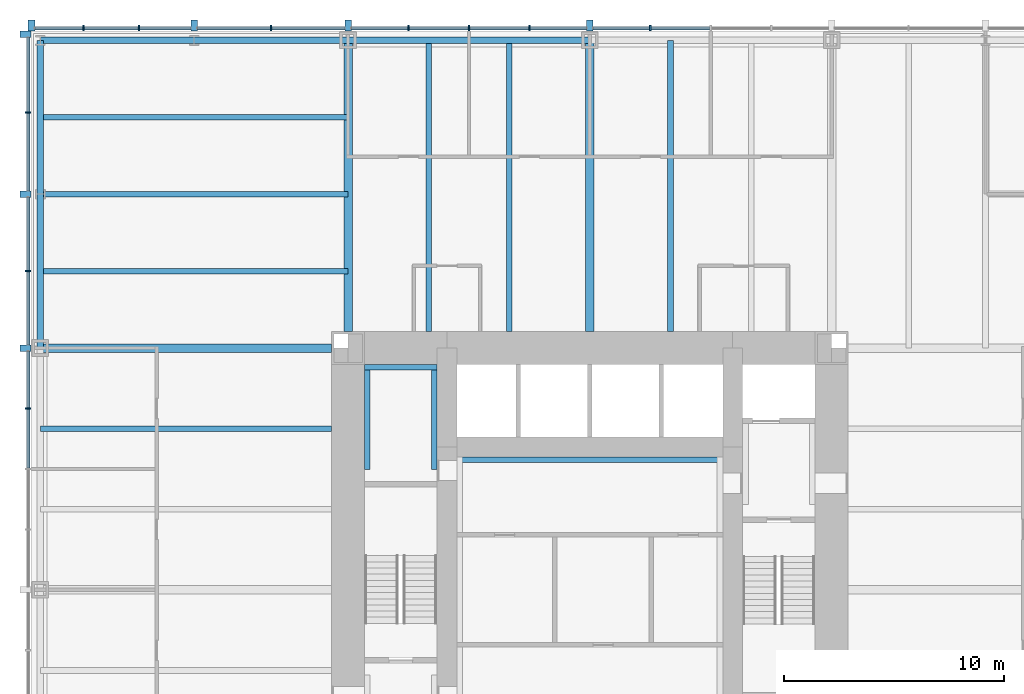
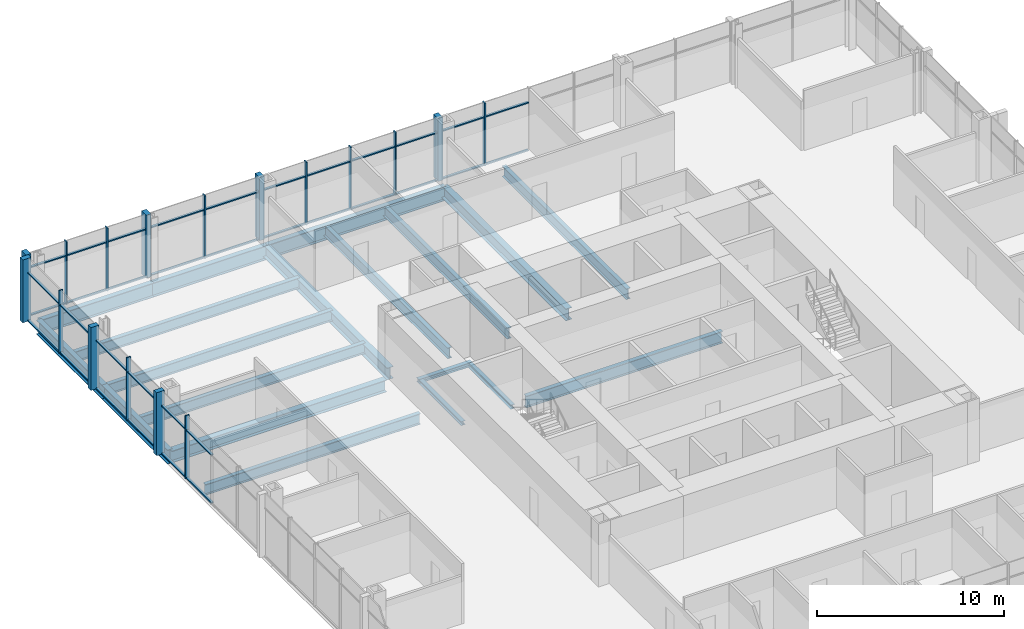
# One storey, part 5 of 12: 51 members, 19 beams, 2 elements without a shape of their own.
"""IFC4 building model written with IfcOpenShell, lengths in metres."""

from ifc_helpers import new_model, si_unit, direction, frame, origin, origin_2d, place, context, subcontext, project, spatial, rectangle, i_section, extrude, material, material_profile, profile_set, type_object, element, aggregate, save


model = new_model("IFC4")

# Units and contexts
model_context = context("Model", 3, precision=1e-05, world=origin(), true_north=direction((0.0, 1.0)))
body_context = subcontext(model_context, "Body", "Model", "MODEL_VIEW")
ifc_project = project(units=[si_unit("LENGTHUNIT", "METRE"), si_unit("AREAUNIT", "SQUARE_METRE"), si_unit("VOLUMEUNIT", "CUBIC_METRE"), si_unit("PLANEANGLEUNIT", "RADIAN"), si_unit("MASSUNIT", "GRAM", prefix="KILO")], contexts=[model_context])

# Site, building, storey
site_placement = place(None, origin())
site = spatial("IfcSite", under=ifc_project, at=site_placement, CompositionType="ELEMENT")
building_placement = place(site_placement, origin())
building = spatial("IfcBuilding", under=site, at=building_placement, Name="Trevanion Tower", CompositionType="ELEMENT")
storey_placement = place(building_placement, frame((0.0, 0.0, 73.39990234375)))
storey = spatial("IfcBuildingStorey", under=building, at=storey_placement, Name="L17", CompositionType="ELEMENT", Elevation=73.39990234375)

# Beams
ifc_material_1 = material(Name="Steel ASTM A992 Grade 50", Category="steel")
ifc_material_profile_1 = material_profile(ifc_material_1, i_section(OverallWidth=0.25390625, OverallDepth=0.700927734375, WebThickness=0.015380859375, FlangeThickness=0.02783203125, at=origin_2d()), Name="W27X129")
ifc_profile_set_1 = profile_set([ifc_material_profile_1], Name="Steel ASTM A992 Grade 50")
beam_type_1 = type_object("IfcBeamType", Name="B3 W27X129", PredefinedType="BEAM", material=ifc_profile_set_1)
for number, where, z_axis, x_axis, name in (
    (1, (3.666748046875, 11.75, -0.540283203125), (0.0, 1.0, 0.0), (-1.0, 0.0, 0.0), "B3 L17"),
    (2, (-3.666748046875, 11.75, -0.540283203125), (0.0, 1.0, 0.0), (-1.0, 0.0, 0.0), "B3 L17"),
    (3, (-7.333251953125, 11.75, -0.540283203125), (0.0, 1.0, 0.0), (-1.0, 0.0, 0.0), "B3 L17"),
    (4, (-11.75, 7.333251953125, -0.540283203125), (-1.0, 0.0, 0.0), (0.0, -1.0, 0.0), "B3 L17"),
):
    element("IfcBeam", number, at=place(storey_placement, frame(where, z_axis=z_axis, x_axis=x_axis)), inside=storey, type_object=beam_type_1, Name=name, PredefinedType="BEAM", context=body_context, shape_type="SweptSolid", body=[
        extrude(i_section(OverallWidth=0.25390625, OverallDepth=0.700927734375, WebThickness=0.015380859375, FlangeThickness=0.02783203125, at=origin_2d()), origin(), (0.0, 0.0, 1.0), 13.25),
    ])
ifc_material_2 = material(Name="Steel ASTM A992 Grade 50", Category="steel")
ifc_material_profile_2 = material_profile(ifc_material_2, i_section(OverallWidth=0.256591796875, OverallDepth=0.693359375, WebThickness=0.014404296875, FlangeThickness=0.023681640625, at=origin_2d()), Name="W27X114")
ifc_profile_set_2 = profile_set([ifc_material_profile_2], Name="Steel ASTM A992 Grade 50")
beam_type_2 = type_object("IfcBeamType", Name="B4 W27X114", PredefinedType="BEAM", material=ifc_profile_set_2)
for number, where, z_axis, x_axis, name in (
    (5, (-11.0, 14.5, -0.53662109375), (-1.0, 0.0, 0.0), (0.0, -1.0, 0.0), "B4 L17"),
    (6, (-11.0, 18.0, -0.53662109375), (-1.0, 0.0, 0.0), (0.0, -1.0, 0.0), "B4 L17"),
    (7, (-11.0, 21.5, -0.53662109375), (-1.0, 0.0, 0.0), (0.0, -1.0, 0.0), "B4 L17"),
):
    element("IfcBeam", number, at=place(storey_placement, frame(where, z_axis=z_axis, x_axis=x_axis)), inside=storey, type_object=beam_type_2, Name=name, PredefinedType="BEAM", context=body_context, shape_type="SweptSolid", body=[
        extrude(i_section(OverallWidth=0.256591796875, OverallDepth=0.693359375, WebThickness=0.014404296875, FlangeThickness=0.023681640625, at=origin_2d()), origin(), (0.0, 0.0, 1.0), 14.0),
    ])

# Curtain wall, members
ifc_material_3 = material(Name="Aluminium and glass", Category="aluminium")
curtain_wall_type = type_object("IfcCurtainWallType", Name="CW1 curtain wall", PredefinedType="USERDEFINED", material=ifc_material_3)
curtain_wall_1_placement = place(storey_placement, origin())
curtain_wall_1 = element("IfcCurtainWall", 8, at=curtain_wall_1_placement, inside=storey, type_object=curtain_wall_type, Name="CW1 L17 1", ObjectType="UNITISED CURTAIN WALL", PredefinedType="USERDEFINED")
ifc_material_4 = material(Name="Aluminium extrusion, anodised bronze", Category="aluminium")
ifc_material_profile_3 = material_profile(ifc_material_4, rectangle(XDim=0.074951171875, YDim=0.25, at=origin_2d()), Name="CW1 mullion")
ifc_profile_set_3 = profile_set([ifc_material_profile_3], Name="Aluminium extrusion, anodised bronze")
member_type_1 = type_object("IfcMemberType", Name="CW1 mullion", PredefinedType="MULLION", material=ifc_profile_set_3)
member_1_placement = place(storey_placement, frame((2.75, 25.550048828125, -0.18994140625), z_axis=(0.0, 0.0, 1.0), x_axis=(-1.0, 0.0, 0.0)))
member_1 = element("IfcMember", 9, at=member_1_placement, type_object=member_type_1, Name="CW1 mullion 8", PredefinedType="MULLION", context=body_context, shape_type="SweptSolid", body=[
    extrude(rectangle(XDim=0.074951171875, YDim=0.25, at=origin_2d()), origin(), (0.0, 0.0, 1.0), 4.10009765625),
])
member_2_placement = place(storey_placement, frame((-2.75, 25.550048828125, -0.18994140625), z_axis=(0.0, 0.0, 1.0), x_axis=(-1.0, 0.0, 0.0)))
member_2 = element("IfcMember", 10, at=member_2_placement, type_object=member_type_1, Name="CW1 mullion 10", PredefinedType="MULLION", context=body_context, shape_type="SweptSolid", body=[
    extrude(rectangle(XDim=0.074951171875, YDim=0.25, at=origin_2d()), origin(), (0.0, 0.0, 1.0), 4.10009765625),
])
member_3_placement = place(storey_placement, frame((-5.5, 25.550048828125, -0.18994140625), z_axis=(0.0, 0.0, 1.0), x_axis=(-1.0, 0.0, 0.0)))
member_3 = element("IfcMember", 11, at=member_3_placement, type_object=member_type_1, Name="CW1 mullion 11", PredefinedType="MULLION", context=body_context, shape_type="SweptSolid", body=[
    extrude(rectangle(XDim=0.074951171875, YDim=0.25, at=origin_2d()), origin(), (0.0, 0.0, 1.0), 4.10009765625),
])
member_4_placement = place(storey_placement, frame((-8.25, 25.550048828125, -0.18994140625), z_axis=(0.0, 0.0, 1.0), x_axis=(-1.0, 0.0, 0.0)))
member_4 = element("IfcMember", 12, at=member_4_placement, type_object=member_type_1, Name="CW1 mullion 12", PredefinedType="MULLION", context=body_context, shape_type="SweptSolid", body=[
    extrude(rectangle(XDim=0.074951171875, YDim=0.25, at=origin_2d()), origin(), (0.0, 0.0, 1.0), 4.10009765625),
])
member_5_placement = place(storey_placement, frame((-14.5, 25.550048828125, -0.18994140625), z_axis=(0.0, 0.0, 1.0), x_axis=(-1.0, 0.0, 0.0)))
member_5 = element("IfcMember", 13, at=member_5_placement, type_object=member_type_1, Name="CW1 mullion 14", PredefinedType="MULLION", context=body_context, shape_type="SweptSolid", body=[
    extrude(rectangle(XDim=0.074951171875, YDim=0.25, at=origin_2d()), origin(), (0.0, 0.0, 1.0), 4.10009765625),
])
member_6_placement = place(storey_placement, frame((-20.5166015625, 25.550048828125, -0.18994140625), z_axis=(0.0, 0.0, 1.0), x_axis=(-1.0, 0.0, 0.0)))
member_6 = element("IfcMember", 14, at=member_6_placement, type_object=member_type_1, Name="CW1 mullion 16", PredefinedType="MULLION", context=body_context, shape_type="SweptSolid", body=[
    extrude(rectangle(XDim=0.074951171875, YDim=0.25, at=origin_2d()), origin(), (0.0, 0.0, 1.0), 4.10009765625),
])
member_7_placement = place(storey_placement, frame((-23.033203125, 25.550048828125, -0.18994140625), z_axis=(0.0, 0.0, 1.0), x_axis=(-1.0, 0.0, 0.0)))
member_7 = element("IfcMember", 15, at=member_7_placement, type_object=member_type_1, Name="CW1 mullion 17", PredefinedType="MULLION", context=body_context, shape_type="SweptSolid", body=[
    extrude(rectangle(XDim=0.074951171875, YDim=0.25, at=origin_2d()), origin(), (0.0, 0.0, 1.0), 4.10009765625),
])

curtain_wall_2_placement = place(storey_placement, origin())
curtain_wall_2 = element("IfcCurtainWall", 16, at=curtain_wall_2_placement, inside=storey, type_object=curtain_wall_type, Name="CW1 L17 2", ObjectType="UNITISED CURTAIN WALL", PredefinedType="USERDEFINED")
member_8_placement = place(storey_placement, frame((-25.550048828125, 21.7099609375, -0.18994140625), z_axis=(0.0, 0.0, 1.0), x_axis=(0.0, -1.0, 0.0)))
member_8 = element("IfcMember", 17, at=member_8_placement, type_object=member_type_1, Name="CW1 mullion 2", PredefinedType="MULLION", context=body_context, shape_type="SweptSolid", body=[
    extrude(rectangle(XDim=0.074951171875, YDim=0.25, at=origin_2d()), origin(), (0.0, 0.0, 1.0), 4.10009765625),
])
member_9_placement = place(storey_placement, frame((-25.550048828125, 14.5, -0.18994140625), z_axis=(0.0, 0.0, 1.0), x_axis=(0.0, -1.0, 0.0)))
member_9 = element("IfcMember", 18, at=member_9_placement, type_object=member_type_1, Name="CW1 mullion 4", PredefinedType="MULLION", context=body_context, shape_type="SweptSolid", body=[
    extrude(rectangle(XDim=0.074951171875, YDim=0.25, at=origin_2d()), origin(), (0.0, 0.0, 1.0), 4.10009765625),
])
member_10_placement = place(storey_placement, frame((-25.550048828125, 8.25, -0.18994140625), z_axis=(0.0, 0.0, 1.0), x_axis=(0.0, -1.0, 0.0)))
member_10 = element("IfcMember", 19, at=member_10_placement, type_object=member_type_1, Name="CW1 mullion 6", PredefinedType="MULLION", context=body_context, shape_type="SweptSolid", body=[
    extrude(rectangle(XDim=0.074951171875, YDim=0.25, at=origin_2d()), origin(), (0.0, 0.0, 1.0), 4.10009765625),
])

# Member
ifc_material_5 = material(Name="Aluminium extrusion, anodised bronze", Category="aluminium")
ifc_material_profile_4 = material_profile(ifc_material_5, rectangle(XDim=0.300048828125, YDim=0.5, at=origin_2d()), Name="CW1 pier mullion")
ifc_profile_set_4 = profile_set([ifc_material_profile_4], Name="Aluminium extrusion, anodised bronze")
member_type_2 = type_object("IfcMemberType", Name="CW1 pier mullion", PredefinedType="MULLION", material=ifc_profile_set_4)
member_11_placement = place(storey_placement, frame((0.0, 25.675048828125, -0.18994140625), z_axis=(0.0, 0.0, 1.0), x_axis=(-1.0, 0.0, 0.0)))
member_11 = element("IfcMember", 20, at=member_11_placement, type_object=member_type_2, Name="CW1 pier mullion 9", PredefinedType="MULLION", context=body_context, shape_type="SweptSolid", body=[
    extrude(rectangle(XDim=0.300048828125, YDim=0.5, at=origin_2d()), origin(), (0.0, 0.0, 1.0), 4.10009765625),
])

member_12_placement = place(storey_placement, frame((-11.0, 25.675048828125, -0.18994140625), z_axis=(0.0, 0.0, 1.0), x_axis=(-1.0, 0.0, 0.0)))
member_12 = element("IfcMember", 21, at=member_12_placement, type_object=member_type_2, Name="CW1 pier mullion 13", PredefinedType="MULLION", context=body_context, shape_type="SweptSolid", body=[
    extrude(rectangle(XDim=0.300048828125, YDim=0.5, at=origin_2d()), origin(), (0.0, 0.0, 1.0), 4.10009765625),
])

member_13_placement = place(storey_placement, frame((-18.0, 25.675048828125, -0.18994140625), z_axis=(0.0, 0.0, 1.0), x_axis=(-1.0, 0.0, 0.0)))
member_13 = element("IfcMember", 22, at=member_13_placement, type_object=member_type_2, Name="CW1 pier mullion 15", PredefinedType="MULLION", context=body_context, shape_type="SweptSolid", body=[
    extrude(rectangle(XDim=0.300048828125, YDim=0.5, at=origin_2d()), origin(), (0.0, 0.0, 1.0), 4.10009765625),
])

member_14_placement = place(storey_placement, frame((-25.39990234375, 25.675048828125, -0.18994140625), z_axis=(0.0, 0.0, 1.0), x_axis=(-1.0, 0.0, 0.0)))
member_14 = element("IfcMember", 23, at=member_14_placement, type_object=member_type_2, Name="CW1 pier mullion 18", PredefinedType="MULLION", context=body_context, shape_type="SweptSolid", body=[
    extrude(rectangle(XDim=0.300048828125, YDim=0.5, at=origin_2d()), origin(), (0.0, 0.0, 1.0), 4.10009765625),
])

member_15_placement = place(storey_placement, frame((-25.675048828125, 25.27001953125, -0.18994140625), z_axis=(0.0, 0.0, 1.0), x_axis=(0.0, -1.0, 0.0)))
member_15 = element("IfcMember", 24, at=member_15_placement, type_object=member_type_2, Name="CW1 pier mullion 1", PredefinedType="MULLION", context=body_context, shape_type="SweptSolid", body=[
    extrude(rectangle(XDim=0.300048828125, YDim=0.5, at=origin_2d()), origin(), (0.0, 0.0, 1.0), 4.10009765625),
])

member_16_placement = place(storey_placement, frame((-25.675048828125, 18.0, -0.18994140625), z_axis=(0.0, 0.0, 1.0), x_axis=(0.0, -1.0, 0.0)))
member_16 = element("IfcMember", 25, at=member_16_placement, type_object=member_type_2, Name="CW1 pier mullion 3", PredefinedType="MULLION", context=body_context, shape_type="SweptSolid", body=[
    extrude(rectangle(XDim=0.300048828125, YDim=0.5, at=origin_2d()), origin(), (0.0, 0.0, 1.0), 4.10009765625),
])

member_17_placement = place(storey_placement, frame((-25.675048828125, 11.0, -0.18994140625), z_axis=(0.0, 0.0, 1.0), x_axis=(0.0, -1.0, 0.0)))
member_17 = element("IfcMember", 26, at=member_17_placement, type_object=member_type_2, Name="CW1 pier mullion 5", PredefinedType="MULLION", context=body_context, shape_type="SweptSolid", body=[
    extrude(rectangle(XDim=0.300048828125, YDim=0.5, at=origin_2d()), origin(), (0.0, 0.0, 1.0), 4.10009765625),
])

ifc_material_6 = material(Name="Aluminium extrusion, anodised bronze", Category="aluminium")
ifc_material_profile_5 = material_profile(ifc_material_6, rectangle(XDim=0.14990234375, YDim=0.074951171875, at=origin_2d()), Name="CW1 transom")
ifc_profile_set_5 = profile_set([ifc_material_profile_5], Name="Aluminium extrusion, anodised bronze")
member_type_3 = type_object("IfcMemberType", Name="CW1 transom", PredefinedType="USERDEFINED", material=ifc_profile_set_5)
member_18_placement = place(storey_placement, frame((5.46240234375, 25.550048828125, -0.15234375), z_axis=(-1.0, 0.0, 0.0), x_axis=(0.0, -1.0, 0.0)))
member_18 = element("IfcMember", 27, at=member_18_placement, type_object=member_type_3, Name="CW1 transom 7.1", ObjectType="TRANSOM", PredefinedType="USERDEFINED", context=body_context, shape_type="SweptSolid", body=[
    extrude(rectangle(XDim=0.14990234375, YDim=0.074951171875, at=origin_2d()), origin(), (0.0, 0.0, 1.0), 2.6748046875),
])

member_19_placement = place(storey_placement, frame((5.46240234375, 25.550048828125, 2.960205078125), z_axis=(-1.0, 0.0, 0.0), x_axis=(0.0, -1.0, 0.0)))
member_19 = element("IfcMember", 28, at=member_19_placement, type_object=member_type_3, Name="CW1 transom 7.2", ObjectType="TRANSOM", PredefinedType="USERDEFINED", context=body_context, shape_type="SweptSolid", body=[
    extrude(rectangle(XDim=0.14990234375, YDim=0.074951171875, at=origin_2d()), origin(), (0.0, 0.0, 1.0), 2.6748046875),
])

member_20_placement = place(storey_placement, frame((2.71240234375, 25.550048828125, -0.15234375), z_axis=(-1.0, 0.0, 0.0), x_axis=(0.0, -1.0, 0.0)))
member_20 = element("IfcMember", 29, at=member_20_placement, type_object=member_type_3, Name="CW1 transom 8.1", ObjectType="TRANSOM", PredefinedType="USERDEFINED", context=body_context, shape_type="SweptSolid", body=[
    extrude(rectangle(XDim=0.14990234375, YDim=0.074951171875, at=origin_2d()), origin(), (0.0, 0.0, 1.0), 2.5625),
])

member_21_placement = place(storey_placement, frame((2.71240234375, 25.550048828125, 2.960205078125), z_axis=(-1.0, 0.0, 0.0), x_axis=(0.0, -1.0, 0.0)))
member_21 = element("IfcMember", 30, at=member_21_placement, type_object=member_type_3, Name="CW1 transom 8.2", ObjectType="TRANSOM", PredefinedType="USERDEFINED", context=body_context, shape_type="SweptSolid", body=[
    extrude(rectangle(XDim=0.14990234375, YDim=0.074951171875, at=origin_2d()), origin(), (0.0, 0.0, 1.0), 2.5625),
])

member_22_placement = place(storey_placement, frame((-0.14990234375, 25.550048828125, -0.15234375), z_axis=(-1.0, 0.0, 0.0), x_axis=(0.0, -1.0, 0.0)))
member_22 = element("IfcMember", 31, at=member_22_placement, type_object=member_type_3, Name="CW1 transom 9.1", ObjectType="TRANSOM", PredefinedType="USERDEFINED", context=body_context, shape_type="SweptSolid", body=[
    extrude(rectangle(XDim=0.14990234375, YDim=0.074951171875, at=origin_2d()), origin(), (0.0, 0.0, 1.0), 2.5625),
])

member_23_placement = place(storey_placement, frame((-0.14990234375, 25.550048828125, 2.960205078125), z_axis=(-1.0, 0.0, 0.0), x_axis=(0.0, -1.0, 0.0)))
member_23 = element("IfcMember", 32, at=member_23_placement, type_object=member_type_3, Name="CW1 transom 9.2", ObjectType="TRANSOM", PredefinedType="USERDEFINED", context=body_context, shape_type="SweptSolid", body=[
    extrude(rectangle(XDim=0.14990234375, YDim=0.074951171875, at=origin_2d()), origin(), (0.0, 0.0, 1.0), 2.5625),
])

member_24_placement = place(storey_placement, frame((-2.78759765625, 25.550048828125, -0.15234375), z_axis=(-1.0, 0.0, 0.0), x_axis=(0.0, -1.0, 0.0)))
member_24 = element("IfcMember", 33, at=member_24_placement, type_object=member_type_3, Name="CW1 transom 10.1", ObjectType="TRANSOM", PredefinedType="USERDEFINED", context=body_context, shape_type="SweptSolid", body=[
    extrude(rectangle(XDim=0.14990234375, YDim=0.074951171875, at=origin_2d()), origin(), (0.0, 0.0, 1.0), 2.6748046875),
])

member_25_placement = place(storey_placement, frame((-2.78759765625, 25.550048828125, 2.960205078125), z_axis=(-1.0, 0.0, 0.0), x_axis=(0.0, -1.0, 0.0)))
member_25 = element("IfcMember", 34, at=member_25_placement, type_object=member_type_3, Name="CW1 transom 10.2", ObjectType="TRANSOM", PredefinedType="USERDEFINED", context=body_context, shape_type="SweptSolid", body=[
    extrude(rectangle(XDim=0.14990234375, YDim=0.074951171875, at=origin_2d()), origin(), (0.0, 0.0, 1.0), 2.6748046875),
])

member_26_placement = place(storey_placement, frame((-5.53759765625, 25.550048828125, -0.15234375), z_axis=(-1.0, 0.0, 0.0), x_axis=(0.0, -1.0, 0.0)))
member_26 = element("IfcMember", 35, at=member_26_placement, type_object=member_type_3, Name="CW1 transom 11.1", ObjectType="TRANSOM", PredefinedType="USERDEFINED", context=body_context, shape_type="SweptSolid", body=[
    extrude(rectangle(XDim=0.14990234375, YDim=0.074951171875, at=origin_2d()), origin(), (0.0, 0.0, 1.0), 2.6748046875),
])

member_27_placement = place(storey_placement, frame((-5.53759765625, 25.550048828125, 2.960205078125), z_axis=(-1.0, 0.0, 0.0), x_axis=(0.0, -1.0, 0.0)))
member_27 = element("IfcMember", 36, at=member_27_placement, type_object=member_type_3, Name="CW1 transom 11.2", ObjectType="TRANSOM", PredefinedType="USERDEFINED", context=body_context, shape_type="SweptSolid", body=[
    extrude(rectangle(XDim=0.14990234375, YDim=0.074951171875, at=origin_2d()), origin(), (0.0, 0.0, 1.0), 2.6748046875),
])

member_28_placement = place(storey_placement, frame((-8.28759765625, 25.550048828125, -0.15234375), z_axis=(-1.0, 0.0, 0.0), x_axis=(0.0, -1.0, 0.0)))
member_28 = element("IfcMember", 37, at=member_28_placement, type_object=member_type_3, Name="CW1 transom 12.1", ObjectType="TRANSOM", PredefinedType="USERDEFINED", context=body_context, shape_type="SweptSolid", body=[
    extrude(rectangle(XDim=0.14990234375, YDim=0.074951171875, at=origin_2d()), origin(), (0.0, 0.0, 1.0), 2.5625),
])

member_29_placement = place(storey_placement, frame((-8.28759765625, 25.550048828125, 2.960205078125), z_axis=(-1.0, 0.0, 0.0), x_axis=(0.0, -1.0, 0.0)))
member_29 = element("IfcMember", 38, at=member_29_placement, type_object=member_type_3, Name="CW1 transom 12.2", ObjectType="TRANSOM", PredefinedType="USERDEFINED", context=body_context, shape_type="SweptSolid", body=[
    extrude(rectangle(XDim=0.14990234375, YDim=0.074951171875, at=origin_2d()), origin(), (0.0, 0.0, 1.0), 2.5625),
])

member_30_placement = place(storey_placement, frame((-11.14990234375, 25.550048828125, -0.15234375), z_axis=(-1.0, 0.0, 0.0), x_axis=(0.0, -1.0, 0.0)))
member_30 = element("IfcMember", 39, at=member_30_placement, type_object=member_type_3, Name="CW1 transom 13.1", ObjectType="TRANSOM", PredefinedType="USERDEFINED", context=body_context, shape_type="SweptSolid", body=[
    extrude(rectangle(XDim=0.14990234375, YDim=0.074951171875, at=origin_2d()), origin(), (0.0, 0.0, 1.0), 3.3125),
])

member_31_placement = place(storey_placement, frame((-11.14990234375, 25.550048828125, 2.960205078125), z_axis=(-1.0, 0.0, 0.0), x_axis=(0.0, -1.0, 0.0)))
member_31 = element("IfcMember", 40, at=member_31_placement, type_object=member_type_3, Name="CW1 transom 13.2", ObjectType="TRANSOM", PredefinedType="USERDEFINED", context=body_context, shape_type="SweptSolid", body=[
    extrude(rectangle(XDim=0.14990234375, YDim=0.074951171875, at=origin_2d()), origin(), (0.0, 0.0, 1.0), 3.3125),
])

member_32_placement = place(storey_placement, frame((-14.53759765625, 25.550048828125, -0.15234375), z_axis=(-1.0, 0.0, 0.0), x_axis=(0.0, -1.0, 0.0)))
member_32 = element("IfcMember", 41, at=member_32_placement, type_object=member_type_3, Name="CW1 transom 14.1", ObjectType="TRANSOM", PredefinedType="USERDEFINED", context=body_context, shape_type="SweptSolid", body=[
    extrude(rectangle(XDim=0.14990234375, YDim=0.074951171875, at=origin_2d()), origin(), (0.0, 0.0, 1.0), 3.3125),
])

member_33_placement = place(storey_placement, frame((-14.53759765625, 25.550048828125, 2.960205078125), z_axis=(-1.0, 0.0, 0.0), x_axis=(0.0, -1.0, 0.0)))
member_33 = element("IfcMember", 42, at=member_33_placement, type_object=member_type_3, Name="CW1 transom 14.2", ObjectType="TRANSOM", PredefinedType="USERDEFINED", context=body_context, shape_type="SweptSolid", body=[
    extrude(rectangle(XDim=0.14990234375, YDim=0.074951171875, at=origin_2d()), origin(), (0.0, 0.0, 1.0), 3.3125),
])

member_34_placement = place(storey_placement, frame((-18.14990234375, 25.550048828125, -0.15234375), z_axis=(-1.0, 0.0, 0.0), x_axis=(0.0, -1.0, 0.0)))
member_34 = element("IfcMember", 43, at=member_34_placement, type_object=member_type_3, Name="CW1 transom 15.1", ObjectType="TRANSOM", PredefinedType="USERDEFINED", context=body_context, shape_type="SweptSolid", body=[
    extrude(rectangle(XDim=0.14990234375, YDim=0.074951171875, at=origin_2d()), origin(), (0.0, 0.0, 1.0), 2.329345703125),
])

member_35_placement = place(storey_placement, frame((-18.14990234375, 25.550048828125, 2.960205078125), z_axis=(-1.0, 0.0, 0.0), x_axis=(0.0, -1.0, 0.0)))
member_35 = element("IfcMember", 44, at=member_35_placement, type_object=member_type_3, Name="CW1 transom 15.2", ObjectType="TRANSOM", PredefinedType="USERDEFINED", context=body_context, shape_type="SweptSolid", body=[
    extrude(rectangle(XDim=0.14990234375, YDim=0.074951171875, at=origin_2d()), origin(), (0.0, 0.0, 1.0), 2.329345703125),
])

member_36_placement = place(storey_placement, frame((-20.55419921875, 25.550048828125, -0.15234375), z_axis=(-1.0, 0.0, 0.0), x_axis=(0.0, -1.0, 0.0)))
member_36 = element("IfcMember", 45, at=member_36_placement, type_object=member_type_3, Name="CW1 transom 16.1", ObjectType="TRANSOM", PredefinedType="USERDEFINED", context=body_context, shape_type="SweptSolid", body=[
    extrude(rectangle(XDim=0.14990234375, YDim=0.074951171875, at=origin_2d()), origin(), (0.0, 0.0, 1.0), 2.441650390625),
])

member_37_placement = place(storey_placement, frame((-20.55419921875, 25.550048828125, 2.960205078125), z_axis=(-1.0, 0.0, 0.0), x_axis=(0.0, -1.0, 0.0)))
member_37 = element("IfcMember", 46, at=member_37_placement, type_object=member_type_3, Name="CW1 transom 16.2", ObjectType="TRANSOM", PredefinedType="USERDEFINED", context=body_context, shape_type="SweptSolid", body=[
    extrude(rectangle(XDim=0.14990234375, YDim=0.074951171875, at=origin_2d()), origin(), (0.0, 0.0, 1.0), 2.441650390625),
])

member_38_placement = place(storey_placement, frame((-23.07080078125, 25.550048828125, -0.15234375), z_axis=(-1.0, 0.0, 0.0), x_axis=(0.0, -1.0, 0.0)))
member_38 = element("IfcMember", 47, at=member_38_placement, type_object=member_type_3, Name="CW1 transom 17.1", ObjectType="TRANSOM", PredefinedType="USERDEFINED", context=body_context, shape_type="SweptSolid", body=[
    extrude(rectangle(XDim=0.14990234375, YDim=0.074951171875, at=origin_2d()), origin(), (0.0, 0.0, 1.0), 2.17919921875),
])

member_39_placement = place(storey_placement, frame((-23.07080078125, 25.550048828125, 2.960205078125), z_axis=(-1.0, 0.0, 0.0), x_axis=(0.0, -1.0, 0.0)))
member_39 = element("IfcMember", 48, at=member_39_placement, type_object=member_type_3, Name="CW1 transom 17.2", ObjectType="TRANSOM", PredefinedType="USERDEFINED", context=body_context, shape_type="SweptSolid", body=[
    extrude(rectangle(XDim=0.14990234375, YDim=0.074951171875, at=origin_2d()), origin(), (0.0, 0.0, 1.0), 2.17919921875),
])

aggregate(curtain_wall_1, [member_1, member_11, member_2, member_3, member_4, member_12, member_5, member_13, member_6, member_7, member_14, member_18, member_19, member_20, member_21, member_22, member_23, member_24, member_25, member_26, member_27, member_28, member_29, member_30, member_31, member_32, member_33, member_34, member_35, member_36, member_37, member_38, member_39])

member_40_placement = place(storey_placement, frame((-25.550048828125, 25.1201171875, -0.15234375), z_axis=(0.0, -1.0, 0.0), x_axis=(1.0, 0.0, 0.0)))
member_40 = element("IfcMember", 49, at=member_40_placement, type_object=member_type_3, Name="CW1 transom 1.1", ObjectType="TRANSOM", PredefinedType="USERDEFINED", context=body_context, shape_type="SweptSolid", body=[
    extrude(rectangle(XDim=0.14990234375, YDim=0.074951171875, at=origin_2d()), origin(), (0.0, 0.0, 1.0), 3.37255859375),
])

member_41_placement = place(storey_placement, frame((-25.550048828125, 25.1201171875, 2.960205078125), z_axis=(0.0, -1.0, 0.0), x_axis=(1.0, 0.0, 0.0)))
member_41 = element("IfcMember", 50, at=member_41_placement, type_object=member_type_3, Name="CW1 transom 1.2", ObjectType="TRANSOM", PredefinedType="USERDEFINED", context=body_context, shape_type="SweptSolid", body=[
    extrude(rectangle(XDim=0.14990234375, YDim=0.074951171875, at=origin_2d()), origin(), (0.0, 0.0, 1.0), 3.37255859375),
])

member_42_placement = place(storey_placement, frame((-25.550048828125, 21.672607421875, -0.15234375), z_axis=(0.0, -1.0, 0.0), x_axis=(1.0, 0.0, 0.0)))
member_42 = element("IfcMember", 51, at=member_42_placement, type_object=member_type_3, Name="CW1 transom 2.1", ObjectType="TRANSOM", PredefinedType="USERDEFINED", context=body_context, shape_type="SweptSolid", body=[
    extrude(rectangle(XDim=0.14990234375, YDim=0.074951171875, at=origin_2d()), origin(), (0.0, 0.0, 1.0), 3.522705078125),
])

member_43_placement = place(storey_placement, frame((-25.550048828125, 21.672607421875, 2.960205078125), z_axis=(0.0, -1.0, 0.0), x_axis=(1.0, 0.0, 0.0)))
member_43 = element("IfcMember", 52, at=member_43_placement, type_object=member_type_3, Name="CW1 transom 2.2", ObjectType="TRANSOM", PredefinedType="USERDEFINED", context=body_context, shape_type="SweptSolid", body=[
    extrude(rectangle(XDim=0.14990234375, YDim=0.074951171875, at=origin_2d()), origin(), (0.0, 0.0, 1.0), 3.522705078125),
])

member_44_placement = place(storey_placement, frame((-25.550048828125, 17.85009765625, -0.15234375), z_axis=(0.0, -1.0, 0.0), x_axis=(1.0, 0.0, 0.0)))
member_44 = element("IfcMember", 53, at=member_44_placement, type_object=member_type_3, Name="CW1 transom 3.1", ObjectType="TRANSOM", PredefinedType="USERDEFINED", context=body_context, shape_type="SweptSolid", body=[
    extrude(rectangle(XDim=0.14990234375, YDim=0.074951171875, at=origin_2d()), origin(), (0.0, 0.0, 1.0), 3.3125),
])

member_45_placement = place(storey_placement, frame((-25.550048828125, 17.85009765625, 2.960205078125), z_axis=(0.0, -1.0, 0.0), x_axis=(1.0, 0.0, 0.0)))
member_45 = element("IfcMember", 54, at=member_45_placement, type_object=member_type_3, Name="CW1 transom 3.2", ObjectType="TRANSOM", PredefinedType="USERDEFINED", context=body_context, shape_type="SweptSolid", body=[
    extrude(rectangle(XDim=0.14990234375, YDim=0.074951171875, at=origin_2d()), origin(), (0.0, 0.0, 1.0), 3.3125),
])

member_46_placement = place(storey_placement, frame((-25.550048828125, 14.46240234375, -0.15234375), z_axis=(0.0, -1.0, 0.0), x_axis=(1.0, 0.0, 0.0)))
member_46 = element("IfcMember", 55, at=member_46_placement, type_object=member_type_3, Name="CW1 transom 4.1", ObjectType="TRANSOM", PredefinedType="USERDEFINED", context=body_context, shape_type="SweptSolid", body=[
    extrude(rectangle(XDim=0.14990234375, YDim=0.074951171875, at=origin_2d()), origin(), (0.0, 0.0, 1.0), 3.3125),
])

member_47_placement = place(storey_placement, frame((-25.550048828125, 14.46240234375, 2.960205078125), z_axis=(0.0, -1.0, 0.0), x_axis=(1.0, 0.0, 0.0)))
member_47 = element("IfcMember", 56, at=member_47_placement, type_object=member_type_3, Name="CW1 transom 4.2", ObjectType="TRANSOM", PredefinedType="USERDEFINED", context=body_context, shape_type="SweptSolid", body=[
    extrude(rectangle(XDim=0.14990234375, YDim=0.074951171875, at=origin_2d()), origin(), (0.0, 0.0, 1.0), 3.3125),
])

member_48_placement = place(storey_placement, frame((-25.550048828125, 10.85009765625, -0.15234375), z_axis=(0.0, -1.0, 0.0), x_axis=(1.0, 0.0, 0.0)))
member_48 = element("IfcMember", 57, at=member_48_placement, type_object=member_type_3, Name="CW1 transom 5.1", ObjectType="TRANSOM", PredefinedType="USERDEFINED", context=body_context, shape_type="SweptSolid", body=[
    extrude(rectangle(XDim=0.14990234375, YDim=0.074951171875, at=origin_2d()), origin(), (0.0, 0.0, 1.0), 2.5625),
])

member_49_placement = place(storey_placement, frame((-25.550048828125, 10.85009765625, 2.960205078125), z_axis=(0.0, -1.0, 0.0), x_axis=(1.0, 0.0, 0.0)))
member_49 = element("IfcMember", 58, at=member_49_placement, type_object=member_type_3, Name="CW1 transom 5.2", ObjectType="TRANSOM", PredefinedType="USERDEFINED", context=body_context, shape_type="SweptSolid", body=[
    extrude(rectangle(XDim=0.14990234375, YDim=0.074951171875, at=origin_2d()), origin(), (0.0, 0.0, 1.0), 2.5625),
])

member_50_placement = place(storey_placement, frame((-25.550048828125, 8.21240234375, -0.15234375), z_axis=(0.0, -1.0, 0.0), x_axis=(1.0, 0.0, 0.0)))
member_50 = element("IfcMember", 59, at=member_50_placement, type_object=member_type_3, Name="CW1 transom 6.1", ObjectType="TRANSOM", PredefinedType="USERDEFINED", context=body_context, shape_type="SweptSolid", body=[
    extrude(rectangle(XDim=0.14990234375, YDim=0.074951171875, at=origin_2d()), origin(), (0.0, 0.0, 1.0), 2.6748046875),
])

member_51_placement = place(storey_placement, frame((-25.550048828125, 8.21240234375, 2.960205078125), z_axis=(0.0, -1.0, 0.0), x_axis=(1.0, 0.0, 0.0)))
member_51 = element("IfcMember", 60, at=member_51_placement, type_object=member_type_3, Name="CW1 transom 6.2", ObjectType="TRANSOM", PredefinedType="USERDEFINED", context=body_context, shape_type="SweptSolid", body=[
    extrude(rectangle(XDim=0.14990234375, YDim=0.074951171875, at=origin_2d()), origin(), (0.0, 0.0, 1.0), 2.6748046875),
])

aggregate(curtain_wall_2, [member_15, member_8, member_16, member_9, member_17, member_10, member_40, member_41, member_42, member_43, member_44, member_45, member_46, member_47, member_48, member_49, member_50, member_51])

# Beams
ifc_material_7 = material(Name="Steel ASTM A992 Grade 50", Category="steel")
ifc_material_profile_6 = material_profile(ifc_material_7, i_section(OverallWidth=0.381103515625, OverallDepth=0.77978515625, WebThickness=0.01806640625, FlangeThickness=0.0302734375, at=origin_2d()), Name="W30X191")
ifc_profile_set_6 = profile_set([ifc_material_profile_6], Name="Steel ASTM A992 Grade 50")
beam_type_3 = type_object("IfcBeamType", Name="G2 W30X191", PredefinedType="BEAM", material=ifc_profile_set_6)
for number, where, z_axis, x_axis, name in (
    (61, (0.0, 11.75, -0.579833984375), (0.0, 1.0, 0.0), (-1.0, 0.0, 0.0), "G2 L17"),
    (62, (-11.0, 11.75, -0.579833984375), (0.0, 1.0, 0.0), (-1.0, 0.0, 0.0), "G2 L17"),
    (63, (-11.75, 11.0, -0.579833984375), (-1.0, 0.0, 0.0), (0.0, -1.0, 0.0), "G2 L17"),
):
    element("IfcBeam", number, at=place(storey_placement, frame(where, z_axis=z_axis, x_axis=x_axis)), inside=storey, type_object=beam_type_3, Name=name, PredefinedType="BEAM", context=body_context, shape_type="SweptSolid", body=[
        extrude(i_section(OverallWidth=0.381103515625, OverallDepth=0.77978515625, WebThickness=0.01806640625, FlangeThickness=0.0302734375, at=origin_2d()), origin(), (0.0, 0.0, 1.0), 13.25),
    ])
ifc_material_8 = material(Name="Steel ASTM A992 Grade 50", Category="steel")
ifc_material_profile_7 = material_profile(ifc_material_8, i_section(OverallWidth=0.256591796875, OverallDepth=0.26416015625, WebThickness=0.011962890625, FlangeThickness=0.01953125, at=origin_2d()), Name="W10X68")
ifc_profile_set_7 = profile_set([ifc_material_profile_7], Name="Steel ASTM A992 Grade 50")
beam_type_4 = type_object("IfcBeamType", Name="LB1 W10X68", PredefinedType="BEAM", material=ifc_profile_set_7)
for number, where, z_axis, x_axis, name in (
    (64, (-10.12158203125, 5.47509765625, -0.33203125), (0.0, 1.0, 0.0), (-1.0, 0.0, 0.0), "LB1 L17"),
    (65, (-7.078369140625, 5.47509765625, -0.33203125), (0.0, 1.0, 0.0), (-1.0, 0.0, 0.0), "LB1 L17"),
):
    element("IfcBeam", number, at=place(storey_placement, frame(where, z_axis=z_axis, x_axis=x_axis)), inside=storey, type_object=beam_type_4, Name=name, PredefinedType="BEAM", context=body_context, shape_type="SweptSolid", body=[
        extrude(i_section(OverallWidth=0.256591796875, OverallDepth=0.26416015625, WebThickness=0.011962890625, FlangeThickness=0.01953125, at=origin_2d()), origin(), (0.0, 0.0, 1.0), 4.77490234375),
    ])
beam_1_placement = place(storey_placement, frame((-10.25, 10.12158203125, -0.33203125), z_axis=(1.0, 0.0, 0.0), x_axis=(0.0, 1.0, 0.0)))
element("IfcBeam", 66, at=beam_1_placement, inside=storey, type_object=beam_type_4, Name="LB1 L17", PredefinedType="BEAM", context=body_context, shape_type="SweptSolid", body=[
    extrude(i_section(OverallWidth=0.256591796875, OverallDepth=0.26416015625, WebThickness=0.011962890625, FlangeThickness=0.01953125, at=origin_2d()), origin(), (0.0, 0.0, 1.0), 3.300048828125),
])
ifc_material_9 = material(Name="Steel ASTM A992 Grade 50", Category="steel")
ifc_material_profile_8 = material_profile(ifc_material_9, i_section(OverallWidth=0.2666015625, OverallDepth=0.76953125, WebThickness=0.015625, FlangeThickness=0.025390625, at=origin_2d()), Name="W30X132")
ifc_profile_set_8 = profile_set([ifc_material_profile_8], Name="Steel ASTM A992 Grade 50")
beam_type_5 = type_object("IfcBeamType", Name="LB3 W30X132", PredefinedType="BEAM", material=ifc_profile_set_8)
beam_2_placement = place(storey_placement, frame((-6.050048828125, 5.91650390625, -0.584716796875), z_axis=(1.0, 0.0, 0.0), x_axis=(0.0, 1.0, 0.0)))
element("IfcBeam", 67, at=beam_2_placement, inside=storey, type_object=beam_type_5, Name="LB3 L17", PredefinedType="BEAM", context=body_context, shape_type="SweptSolid", body=[
    extrude(i_section(OverallWidth=0.2666015625, OverallDepth=0.76953125, WebThickness=0.015625, FlangeThickness=0.025390625, at=origin_2d()), origin(), (0.0, 0.0, 1.0), 12.10009765625),
])
ifc_material_10 = material(Name="Steel ASTM A992 Grade 50", Category="steel")
ifc_material_profile_9 = material_profile(ifc_material_10, i_section(OverallWidth=0.307373046875, OverallDepth=0.927001953125, WebThickness=0.01953125, FlangeThickness=0.031982421875, at=origin_2d()), Name="W36X194")
ifc_profile_set_9 = profile_set([ifc_material_profile_9], Name="Steel ASTM A992 Grade 50")
beam_type_6 = type_object("IfcBeamType", Name="SB2 W36X194", PredefinedType="SPANDREL", material=ifc_profile_set_9)
beam_3_placement = place(storey_placement, frame((0.0, 25.0, -0.6533203125), z_axis=(-1.0, 0.0, 0.0), x_axis=(0.0, -1.0, 0.0)))
element("IfcBeam", 68, at=beam_3_placement, inside=storey, type_object=beam_type_6, Name="SB2 L17", PredefinedType="SPANDREL", context=body_context, shape_type="SweptSolid", body=[
    extrude(i_section(OverallWidth=0.307373046875, OverallDepth=0.927001953125, WebThickness=0.01953125, FlangeThickness=0.031982421875, at=origin_2d()), origin(), (0.0, 0.0, 1.0), 11.0),
])
for number, where, z_axis, x_axis, name in (
    (69, (-11.0, 25.0, -0.6533203125), (-1.0, 0.0, 0.0), (0.0, -1.0, 0.0), "SB2 L17"),
    (70, (-18.0, 25.0, -0.6533203125), (-1.0, 0.0, 0.0), (0.0, -1.0, 0.0), "SB2 L17"),
    (71, (-25.0, 25.0, -0.6533203125), (0.0, -1.0, 0.0), (1.0, 0.0, 0.0), "SB2 L17"),
    (72, (-25.0, 18.0, -0.6533203125), (0.0, -1.0, 0.0), (1.0, 0.0, 0.0), "SB2 L17"),
):
    element("IfcBeam", number, at=place(storey_placement, frame(where, z_axis=z_axis, x_axis=x_axis)), inside=storey, type_object=beam_type_6, Name=name, PredefinedType="SPANDREL", context=body_context, shape_type="SweptSolid", body=[
        extrude(i_section(OverallWidth=0.307373046875, OverallDepth=0.927001953125, WebThickness=0.01953125, FlangeThickness=0.031982421875, at=origin_2d()), origin(), (0.0, 0.0, 1.0), 7.0),
    ])

save(model, "model.ifc")
